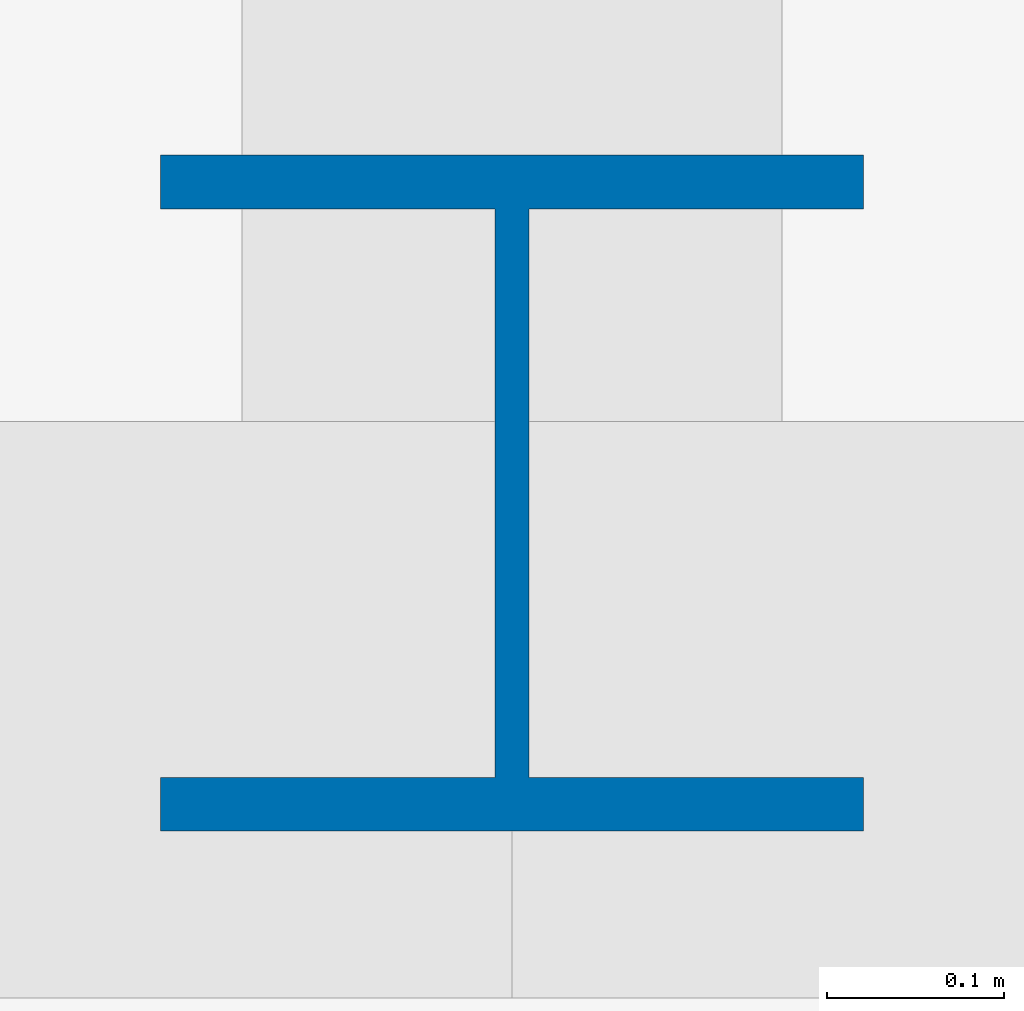
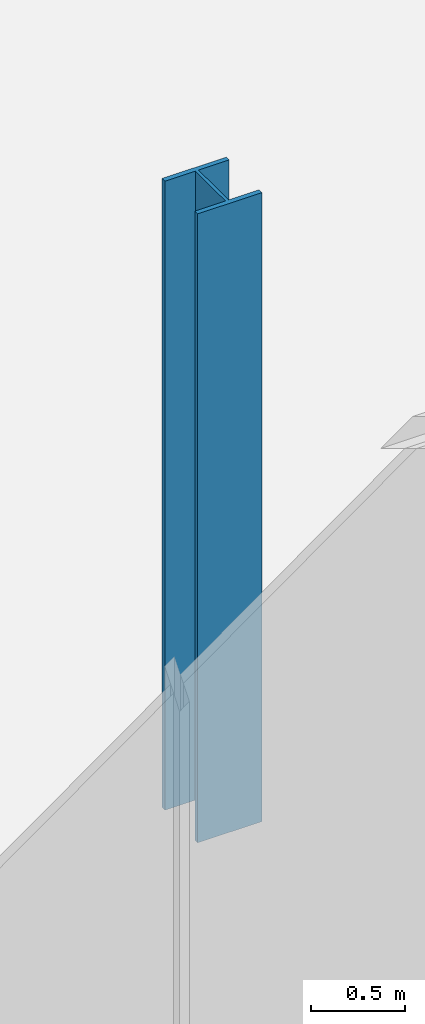
# One storey, part 2 of 21: 1 column.
"""IFC4 building model written with IfcOpenShell, lengths in metres."""

from ifc_helpers import new_model, si_unit, direction, frame, origin, origin_2d, place, context, subcontext, project, spatial, i_section, extrude, material, material_profile, profile_set, type_object, element, save


model = new_model("IFC4")

# Units and contexts
model_context = context("Model", 3, precision=1e-05, world=origin(), true_north=direction((0.0, 1.0)))
body_context = subcontext(model_context, "Body", "Model", "MODEL_VIEW")
ifc_project = project(units=[si_unit("LENGTHUNIT", "METRE"), si_unit("AREAUNIT", "SQUARE_METRE"), si_unit("VOLUMEUNIT", "CUBIC_METRE"), si_unit("PLANEANGLEUNIT", "RADIAN"), si_unit("MASSUNIT", "GRAM", prefix="KILO")], contexts=[model_context])

# Site, building, storey
site_placement = place(None, origin())
site = spatial("IfcSite", under=ifc_project, at=site_placement, CompositionType="ELEMENT")
building_placement = place(site_placement, origin())
building = spatial("IfcBuilding", under=site, at=building_placement, Name="Bicima Exchange Tower", CompositionType="ELEMENT")
storey_placement = place(building_placement, frame((0.0, 0.0, 156.800048828125)))
storey = spatial("IfcBuildingStorey", under=building, at=storey_placement, Name="L34", CompositionType="ELEMENT", Elevation=156.800048828125)

# Column
ifc_material = material(Name="Steel ASTM A992 Gr 50", Category="steel")
ifc_material_profile = material_profile(ifc_material, i_section(OverallWidth=0.396240234375, OverallDepth=0.381103515625, WebThickness=0.01904296875, FlangeThickness=0.0302734375, at=origin_2d()))
ifc_profile_set = profile_set([ifc_material_profile], Name="Steel ASTM A992 Gr 50")
column_type = type_object("IfcColumnType", Name="Perimeter column W14x159", PredefinedType="COLUMN", material=ifc_profile_set)
column_placement = place(storey_placement, frame((26.10009765625, -32.64599609375, 0.0), z_axis=(0.0, 0.0, 1.0), x_axis=(1.0, 0.0, 0.0)))
element("IfcColumn", 1, at=column_placement, inside=storey, type_object=column_type, Name="Perimeter column grav+26.1f", PredefinedType="COLUMN", context=body_context, shape_type="SweptSolid", body=[
    extrude(i_section(OverallWidth=0.396240234375, OverallDepth=0.381103515625, WebThickness=0.01904296875, FlangeThickness=0.0302734375, at=origin_2d()), origin(), (0.0, 0.0, 1.0), 4.099853515625),
])

save(model, "model.ifc")
